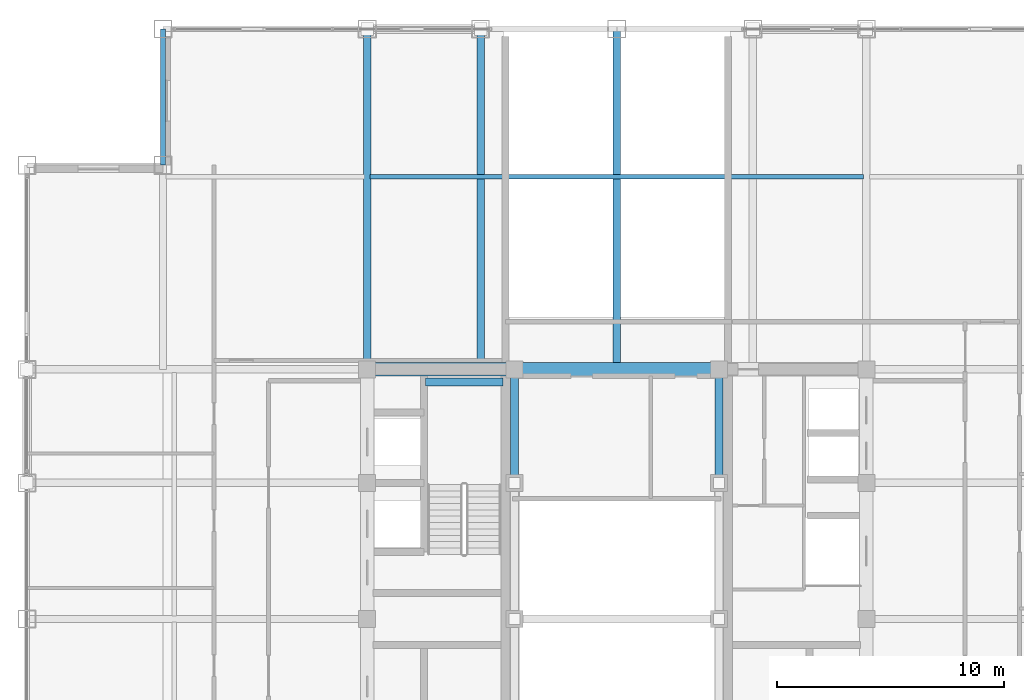
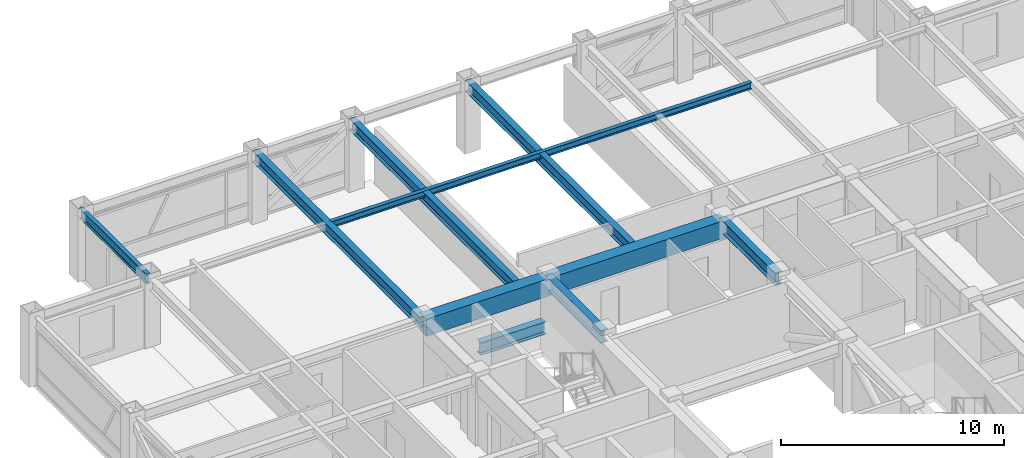
# One storey, part 18 of 29: 10 beams.
"""IFC4 building model written with IfcOpenShell, lengths in metres."""

from ifc_helpers import new_model, si_unit, direction, frame, origin, origin_2d, place, context, subcontext, project, spatial, rectangle, i_section, extrude, source, transform, mapped, material, material_profile, profile_set, type_object, element, save


model = new_model("IFC4")

# Units and contexts
model_context = context("Model", 3, precision=1e-05, world=origin(), true_north=direction((0.0, 1.0)))
body_context = subcontext(model_context, "Body", "Model", "MODEL_VIEW")
ifc_project = project(units=[si_unit("LENGTHUNIT", "METRE"), si_unit("AREAUNIT", "SQUARE_METRE"), si_unit("VOLUMEUNIT", "CUBIC_METRE"), si_unit("PLANEANGLEUNIT", "RADIAN"), si_unit("MASSUNIT", "GRAM", prefix="KILO")], contexts=[model_context])

# Site, building, storey
site_placement = place(None, origin())
site = spatial("IfcSite", under=ifc_project, at=site_placement, CompositionType="ELEMENT")
building_placement = place(site_placement, origin())
building = spatial("IfcBuilding", under=site, at=building_placement, Name="Khorayat Bourse Tower", CompositionType="ELEMENT")
storey_placement = place(building_placement, frame((0.0, 0.0, 354.300048828125)))
storey = spatial("IfcBuildingStorey", under=building, at=storey_placement, Name="L84", CompositionType="ELEMENT", Elevation=354.300048828125)

# Beams
ifc_material_1 = material(Name="Steel ASTM A992 Grade 50", Category="steel")
ifc_material_profile_1 = material_profile(ifc_material_1, i_section(OverallWidth=0.35498046875, OverallDepth=0.695068359375, WebThickness=0.015380859375, FlangeThickness=0.02490234375, FilletRadius=0.01806640625, at=origin_2d()), Name="W690X217")
ifc_profile_set_1 = profile_set([ifc_material_profile_1], Name="Steel ASTM A992 Grade 50")
beam_type_1 = type_object("IfcBeamType", Name="BM-GIRD-690", PredefinedType="BEAM", material=ifc_profile_set_1)
shared_shape_1 = source(origin(), body_context, "Body", "SweptSolid", [
    extrude(i_section(OverallWidth=0.35498046875, OverallDepth=0.695068359375, WebThickness=0.015380859375, FlangeThickness=0.02490234375, FilletRadius=0.01806640625, at=origin_2d()), origin(), (0.0, 0.0, 1.0), 5.0),
])
for number, where, z_axis, x_axis, name in (
    (1, (-4.5, 6.0, 3.392333984375), (0.0, 1.0, 0.0), (-1.0, 0.0, 0.0), "L84 BM-GIRD-690 BM-L84-CRX-08"),
    (2, (4.5, 6.0, 3.392333984375), (0.0, 1.0, 0.0), (-1.0, 0.0, 0.0), "L84 BM-GIRD-690 BM-L84-CRX-12"),
):
    element("IfcBeam", number, at=place(storey_placement, frame(where, z_axis=z_axis, x_axis=x_axis)), inside=storey, type_object=beam_type_1, Name=name, PredefinedType="BEAM", context=body_context, shape_type="MappedRepresentation", body=[
        mapped(shared_shape_1, transform((0.0, 0.0, 0.0), scale=1.0)),
    ])
shared_shape_2 = source(origin(), body_context, "Body", "SweptSolid", [
    extrude(i_section(OverallWidth=0.35498046875, OverallDepth=0.695068359375, WebThickness=0.015380859375, FlangeThickness=0.02490234375, FilletRadius=0.01806640625, at=origin_2d()), origin(), (0.0, 0.0, 1.0), 3.39990234375),
])
beam_1_placement = place(storey_placement, frame((-8.419921875, 10.449951171875, 1.452392578125), z_axis=(1.0, 0.0, 0.0), x_axis=(0.0, 1.0, 0.0)))
element("IfcBeam", 3, at=beam_1_placement, inside=storey, type_object=beam_type_1, Name="L84 BM-GIRD-690 BM-L84-ST2L", PredefinedType="BEAM", context=body_context, shape_type="MappedRepresentation", body=[
    mapped(shared_shape_2, transform((0.0, 0.0, 0.0), scale=1.0)),
])
ifc_material_2 = material(Name="Concrete C60/75", Category="concrete")
ifc_material_profile_2 = material_profile(ifc_material_2, rectangle(XDim=0.60009765625, YDim=0.949951171875, at=origin_2d()), Name="RC 600x950")
ifc_profile_set_2 = profile_set([ifc_material_profile_2], Name="Concrete C60/75")
beam_type_2 = type_object("IfcBeamType", Name="BM-COUP-950", PredefinedType="BEAM", material=ifc_profile_set_2)
shared_shape_3 = source(origin(), body_context, "Body", "SweptSolid", [
    extrude(rectangle(XDim=0.60009765625, YDim=0.949951171875, at=origin_2d()), origin(), (0.0, 0.0, 1.0), 6.5),
])
beam_2_placement = place(storey_placement, frame((-11.0, 11.0, 3.264892578125), z_axis=(1.0, 0.0, 0.0), x_axis=(0.0, 1.0, 0.0)))
element("IfcBeam", 4, at=beam_2_placement, inside=storey, type_object=beam_type_2, Name="L84 BM-COUP-950 BM-L84-CRY-20", PredefinedType="BEAM", context=body_context, shape_type="MappedRepresentation", body=[
    mapped(shared_shape_3, transform((0.0, 0.0, 0.0), scale=1.0)),
])
shared_shape_4 = source(origin(), body_context, "Body", "SweptSolid", [
    extrude(rectangle(XDim=0.60009765625, YDim=0.949951171875, at=origin_2d()), origin(), (0.0, 0.0, 1.0), 9.0),
])
beam_3_placement = place(storey_placement, frame((-4.5, 11.0, 3.264892578125), z_axis=(1.0, 0.0, 0.0), x_axis=(0.0, 1.0, 0.0)))
element("IfcBeam", 5, at=beam_3_placement, inside=storey, type_object=beam_type_2, Name="L84 BM-COUP-950 BM-L84-CRY-21", PredefinedType="BEAM", context=body_context, shape_type="MappedRepresentation", body=[
    mapped(shared_shape_4, transform((0.0, 0.0, 0.0), scale=1.0)),
])
ifc_material_profile_3 = material_profile(ifc_material_1, i_section(OverallWidth=0.202880859375, OverallDepth=0.346923828125, WebThickness=0.0078125, FlangeThickness=0.013427734375, FilletRadius=0.010009765625, at=origin_2d()), Name="W360X64")
ifc_profile_set_3 = profile_set([ifc_material_profile_3], Name="Steel ASTM A992 Grade 50")
beam_type_3 = type_object("IfcBeamType", Name="BM-JOIST-360", PredefinedType="JOIST", material=ifc_profile_set_3)
shared_shape_5 = source(origin(), body_context, "Body", "SweptSolid", [
    extrude(i_section(OverallWidth=0.202880859375, OverallDepth=0.346923828125, WebThickness=0.0078125, FlangeThickness=0.013427734375, FilletRadius=0.010009765625, at=origin_2d()), origin(), (0.0, 0.0, 1.0), 21.740234375),
])
beam_4_placement = place(storey_placement, frame((-10.8701171875, 19.5, 3.56640625), z_axis=(1.0, 0.0, 0.0), x_axis=(0.0, 1.0, 0.0)))
element("IfcBeam", 6, at=beam_4_placement, inside=storey, type_object=beam_type_3, Name="L84 BM-JOIST-360 BM-L84-JSTX-084", PredefinedType="JOIST", context=body_context, shape_type="MappedRepresentation", body=[
    mapped(shared_shape_5, transform((0.0, 0.0, 0.0), scale=1.0)),
])
ifc_material_profile_4 = material_profile(ifc_material_1, i_section(OverallWidth=0.214111328125, OverallDepth=0.549072265625, WebThickness=0.0146484375, FlangeThickness=0.023681640625, FilletRadius=0.013916015625, at=origin_2d()), Name="W530X138")
ifc_profile_set_4 = profile_set([ifc_material_profile_4], Name="Steel ASTM A992 Grade 50")
beam_type_4 = type_object("IfcBeamType", Name="BM-SPAN-530", PredefinedType="SPANDREL", material=ifc_profile_set_4)
shared_shape_6 = source(origin(), body_context, "Body", "SweptSolid", [
    extrude(i_section(OverallWidth=0.214111328125, OverallDepth=0.549072265625, WebThickness=0.0146484375, FlangeThickness=0.023681640625, FilletRadius=0.013916015625, at=origin_2d()), origin(), (0.0, 0.0, 1.0), 6.0),
])
beam_5_placement = place(storey_placement, frame((-20.0, 20.0, 3.46533203125), z_axis=(0.0, 1.0, 0.0), x_axis=(-1.0, 0.0, 0.0)))
element("IfcBeam", 7, at=beam_5_placement, inside=storey, type_object=beam_type_4, Name="L84 BM-SPAN-530 BM-L84-SPN-046", PredefinedType="SPANDREL", context=body_context, shape_type="MappedRepresentation", body=[
    mapped(shared_shape_6, transform((0.0, 0.0, 0.0), scale=1.0)),
])
ifc_material_profile_5 = material_profile(ifc_material_1, i_section(OverallWidth=0.324951171875, OverallDepth=0.615966796875, WebThickness=0.013916015625, FlangeThickness=0.021484375, FilletRadius=0.01611328125, at=origin_2d()), Name="W610X174")
ifc_profile_set_5 = profile_set([ifc_material_profile_5], Name="Steel ASTM A992 Grade 50")
beam_type_5 = type_object("IfcBeamType", Name="BM-GIRD-610", PredefinedType="BEAM", material=ifc_profile_set_5)
shared_shape_7 = source(origin(), body_context, "Body", "SweptSolid", [
    extrude(i_section(OverallWidth=0.324951171875, OverallDepth=0.615966796875, WebThickness=0.013916015625, FlangeThickness=0.021484375, FilletRadius=0.01611328125, at=origin_2d()), origin(), (0.0, 0.0, 1.0), 15.0),
])
for number, where, z_axis, x_axis, name in (
    (8, (-11.0, 11.0, 3.431884765625), (0.0, 1.0, 0.0), (-1.0, 0.0, 0.0), "L84 BM-GIRD-610 BM-L84-RADY-056"),
    (9, (-6.0, 11.0, 3.431884765625), (0.0, 1.0, 0.0), (-1.0, 0.0, 0.0), "L84 BM-GIRD-610 BM-L84-RADY-058"),
    (10, (0.0, 11.0, 3.431884765625), (0.0, 1.0, 0.0), (-1.0, 0.0, 0.0), "L84 BM-GIRD-610 BM-L84-RADY-060"),
):
    element("IfcBeam", number, at=place(storey_placement, frame(where, z_axis=z_axis, x_axis=x_axis)), inside=storey, type_object=beam_type_5, Name=name, PredefinedType="BEAM", context=body_context, shape_type="MappedRepresentation", body=[
        mapped(shared_shape_7, transform((0.0, 0.0, 0.0), scale=1.0)),
    ])

save(model, "model.ifc")
